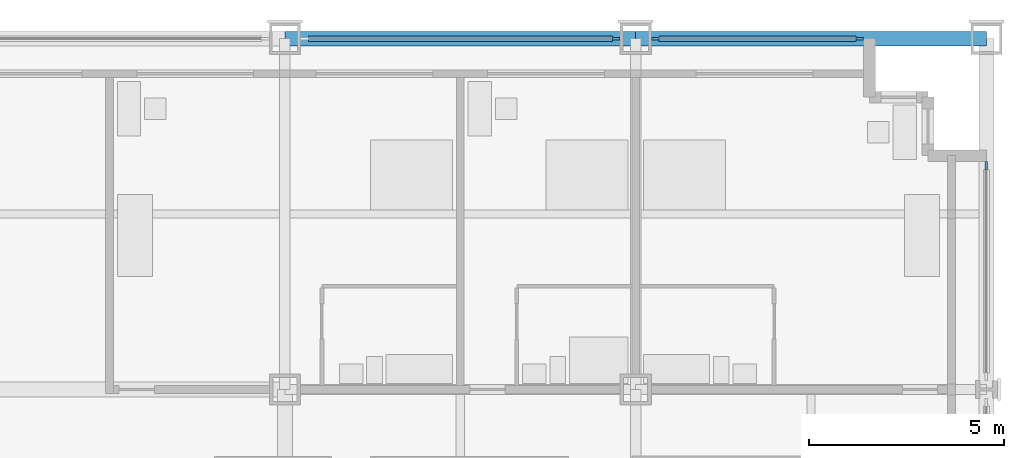
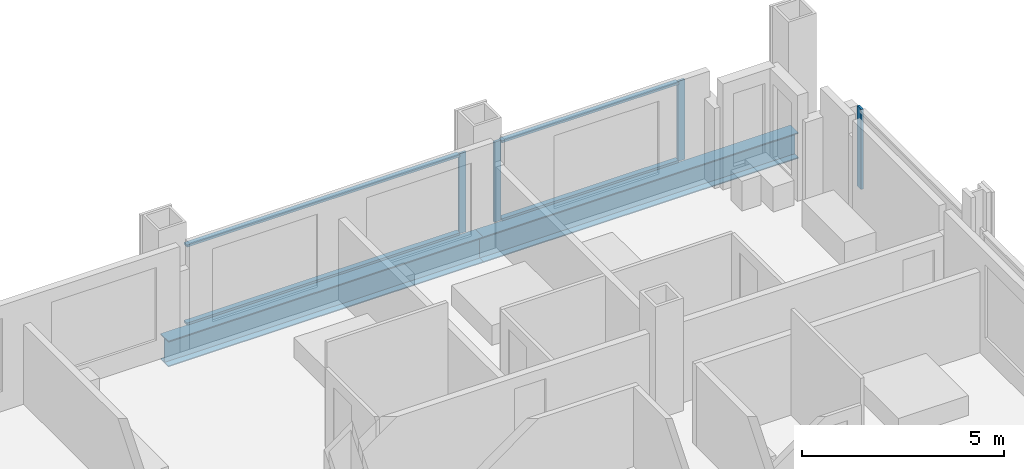
# One storey, part 8 of 18: 8 members, 2 beams, 3 elements without a shape of their own.
"""IFC4 building model written with IfcOpenShell, lengths in metres."""

from ifc_helpers import new_model, si_unit, direction, frame, origin, origin_2d, place, context, subcontext, project, spatial, rectangle, i_section, extrude, material, material_profile, profile_set, type_object, element, aggregate, save


model = new_model("IFC4")

# Units and contexts
model_context = context("Model", 3, precision=1e-05, world=origin(), true_north=direction((0.0, 1.0)))
body_context = subcontext(model_context, "Body", "Model", "MODEL_VIEW")
ifc_project = project(units=[si_unit("LENGTHUNIT", "METRE"), si_unit("AREAUNIT", "SQUARE_METRE"), si_unit("VOLUMEUNIT", "CUBIC_METRE"), si_unit("PLANEANGLEUNIT", "RADIAN"), si_unit("MASSUNIT", "GRAM", prefix="KILO")], contexts=[model_context])

# Site, building, storey
site_placement = place(None, origin())
site = spatial("IfcSite", under=ifc_project, at=site_placement, CompositionType="ELEMENT")
building_placement = place(site_placement, origin())
building = spatial("IfcBuilding", under=site, at=building_placement, Name="Loomwork Tower", CompositionType="ELEMENT")
storey_placement = place(building_placement, frame((0.0, 0.0, 65.39990234375)))
storey = spatial("IfcBuildingStorey", under=building, at=storey_placement, Name="L16", CompositionType="ELEMENT", Elevation=65.39990234375)

# Curtain wall, member
ifc_material_1 = material(Name="Aluminium curtain wall frame", Category="aluminium")
curtain_wall_type = type_object("IfcCurtainWallType", Name="Outer skin glazing hotel", PredefinedType="NOTDEFINED", material=ifc_material_1)
curtain_wall_1_placement = place(storey_placement, origin())
curtain_wall_1 = element("IfcCurtainWall", 1, at=curtain_wall_1_placement, inside=storey, type_object=curtain_wall_type, Name="Outer skin glazing hotel cw/N-36", PredefinedType="NOTDEFINED")
ifc_material_2 = material(Name="Aluminium curtain wall frame", Category="aluminium")
ifc_material_profile_1 = material_profile(ifc_material_2, rectangle(XDim=0.06494140625, YDim=0.199951171875, at=origin_2d()), Name="AL 65x200")
ifc_profile_set_1 = profile_set([ifc_material_profile_1], Name="Aluminium curtain wall frame")
member_type_1 = type_object("IfcMemberType", Name="Outer skin glazing hotel mullion", PredefinedType="MULLION", material=ifc_profile_set_1)
member_1_placement = place(storey_placement, frame((44.5, 36.0, 0.0), z_axis=(0.0, 0.0, 1.0), x_axis=(0.0, -1.0, 0.0)))
member_1 = element("IfcMember", 2, at=member_1_placement, type_object=member_type_1, Name="CW1 mullion 1", PredefinedType="MULLION", context=body_context, shape_type="SweptSolid", body=[
    extrude(rectangle(XDim=0.06494140625, YDim=0.199951171875, at=origin_2d()), origin(), (0.0, 0.0, 1.0), 2.42041015625),
])

# Curtain wall, members
curtain_wall_2_placement = place(storey_placement, origin())
curtain_wall_2 = element("IfcCurtainWall", 3, at=curtain_wall_2_placement, inside=storey, type_object=curtain_wall_type, Name="Outer skin glazing hotel cw/N-45", PredefinedType="NOTDEFINED")
member_2_placement = place(storey_placement, frame((50.75, 36.0, 0.0), z_axis=(0.0, 0.0, 1.0), x_axis=(0.0, -1.0, 0.0)))
member_2 = element("IfcMember", 4, at=member_2_placement, type_object=member_type_1, Name="CW1 mullion 1", PredefinedType="MULLION", context=body_context, shape_type="SweptSolid", body=[
    extrude(rectangle(XDim=0.06494140625, YDim=0.199951171875, at=origin_2d()), origin(), (0.0, 0.0, 1.0), 2.42041015625),
])
member_3_placement = place(storey_placement, frame((45.5, 36.0, 0.0), z_axis=(0.0, 0.0, 1.0), x_axis=(0.0, -1.0, 0.0)))
member_3 = element("IfcMember", 5, at=member_3_placement, type_object=member_type_1, Name="CW1 mullion 2", PredefinedType="MULLION", context=body_context, shape_type="SweptSolid", body=[
    extrude(rectangle(XDim=0.06494140625, YDim=0.199951171875, at=origin_2d()), origin(), (0.0, 0.0, 1.0), 2.42041015625),
])

# Curtain wall, member
curtain_wall_3_placement = place(storey_placement, origin())
curtain_wall_3 = element("IfcCurtainWall", 6, at=curtain_wall_3_placement, inside=storey, type_object=curtain_wall_type, Name="Outer skin glazing hotel cw/E-27", PredefinedType="NOTDEFINED")
member_4_placement = place(storey_placement, frame((54.0, 32.75, 0.0), z_axis=(0.0, 0.0, 1.0), x_axis=(-1.0, 0.0, 0.0)))
member_4 = element("IfcMember", 7, at=member_4_placement, type_object=member_type_1, Name="CW1 mullion 2", PredefinedType="MULLION", context=body_context, shape_type="SweptSolid", body=[
    extrude(rectangle(XDim=0.06494140625, YDim=0.199951171875, at=origin_2d()), origin(), (0.0, 0.0, 1.0), 2.42041015625),
])
aggregate(curtain_wall_3, [member_4])

# Member
ifc_material_3 = material(Name="Aluminium curtain wall frame", Category="aluminium")
ifc_material_profile_2 = material_profile(ifc_material_3, rectangle(XDim=0.14990234375, YDim=0.06494140625, at=origin_2d()), Name="AL 65x150")
ifc_profile_set_2 = profile_set([ifc_material_profile_2], Name="Aluminium curtain wall frame")
member_type_2 = type_object("IfcMemberType", Name="Outer skin glazing hotel transom", PredefinedType="USERDEFINED", material=ifc_profile_set_2)
member_5_placement = place(storey_placement, frame((44.39990234375, 36.0, 0.03271484375), z_axis=(-1.0, 0.0, 0.0), x_axis=(0.0, -1.0, 0.0)))
member_5 = element("IfcMember", 8, at=member_5_placement, type_object=member_type_2, Name="CW1 transom 1.1", ObjectType="TRANSOM", PredefinedType="USERDEFINED", context=body_context, shape_type="SweptSolid", body=[
    extrude(rectangle(XDim=0.14990234375, YDim=0.06494140625, at=origin_2d()), origin(), (0.0, 0.0, 1.0), 7.7998046875),
])

member_6_placement = place(storey_placement, frame((44.39990234375, 36.0, 2.3876953125), z_axis=(-1.0, 0.0, 0.0), x_axis=(0.0, -1.0, 0.0)))
member_6 = element("IfcMember", 9, at=member_6_placement, type_object=member_type_2, Name="CW1 transom 1.2", ObjectType="TRANSOM", PredefinedType="USERDEFINED", context=body_context, shape_type="SweptSolid", body=[
    extrude(rectangle(XDim=0.14990234375, YDim=0.06494140625, at=origin_2d()), origin(), (0.0, 0.0, 1.0), 7.7998046875),
])

aggregate(curtain_wall_1, [member_1, member_5, member_6])

member_7_placement = place(storey_placement, frame((50.64990234375, 36.0, 0.03271484375), z_axis=(-1.0, 0.0, 0.0), x_axis=(0.0, -1.0, 0.0)))
member_7 = element("IfcMember", 10, at=member_7_placement, type_object=member_type_2, Name="CW1 transom 1.1", ObjectType="TRANSOM", PredefinedType="USERDEFINED", context=body_context, shape_type="SweptSolid", body=[
    extrude(rectangle(XDim=0.14990234375, YDim=0.06494140625, at=origin_2d()), origin(), (0.0, 0.0, 1.0), 5.0498046875),
])

member_8_placement = place(storey_placement, frame((50.64990234375, 36.0, 2.3876953125), z_axis=(-1.0, 0.0, 0.0), x_axis=(0.0, -1.0, 0.0)))
member_8 = element("IfcMember", 11, at=member_8_placement, type_object=member_type_2, Name="CW1 transom 1.2", ObjectType="TRANSOM", PredefinedType="USERDEFINED", context=body_context, shape_type="SweptSolid", body=[
    extrude(rectangle(XDim=0.14990234375, YDim=0.06494140625, at=origin_2d()), origin(), (0.0, 0.0, 1.0), 5.0498046875),
])

aggregate(curtain_wall_2, [member_2, member_3, member_7, member_8])

# Beams
ifc_material_4 = material(Name="Steel ASTM A992", Category="steel")
ifc_material_profile_3 = material_profile(ifc_material_4, i_section(OverallWidth=0.381103515625, OverallDepth=0.77978515625, WebThickness=0.01806640625, FlangeThickness=0.0302734375, at=origin_2d()), Name="W30x191")
ifc_profile_set_3 = profile_set([ifc_material_profile_3], Name="Steel ASTM A992")
beam_type = type_object("IfcBeamType", Name="SPANDREL GIRDER W30x191", PredefinedType="SPANDREL", material=ifc_profile_set_3)
for number, where, z_axis, x_axis, name in (
    (12, (36.0, 36.0, -0.58984375), (1.0, 0.0, 0.0), (0.0, 1.0, 0.0), "Spandrel Girder H/6-H/7 L16"),
    (13, (45.0, 36.0, -0.58984375), (1.0, 0.0, 0.0), (0.0, 1.0, 0.0), "Spandrel Girder H/7-H/8 L16"),
):
    element("IfcBeam", number, at=place(storey_placement, frame(where, z_axis=z_axis, x_axis=x_axis)), inside=storey, type_object=beam_type, Name=name, PredefinedType="SPANDREL", context=body_context, shape_type="SweptSolid", body=[
        extrude(i_section(OverallWidth=0.381103515625, OverallDepth=0.77978515625, WebThickness=0.01806640625, FlangeThickness=0.0302734375, at=origin_2d()), origin(), (0.0, 0.0, 1.0), 9.0),
    ])

save(model, "model.ifc")
